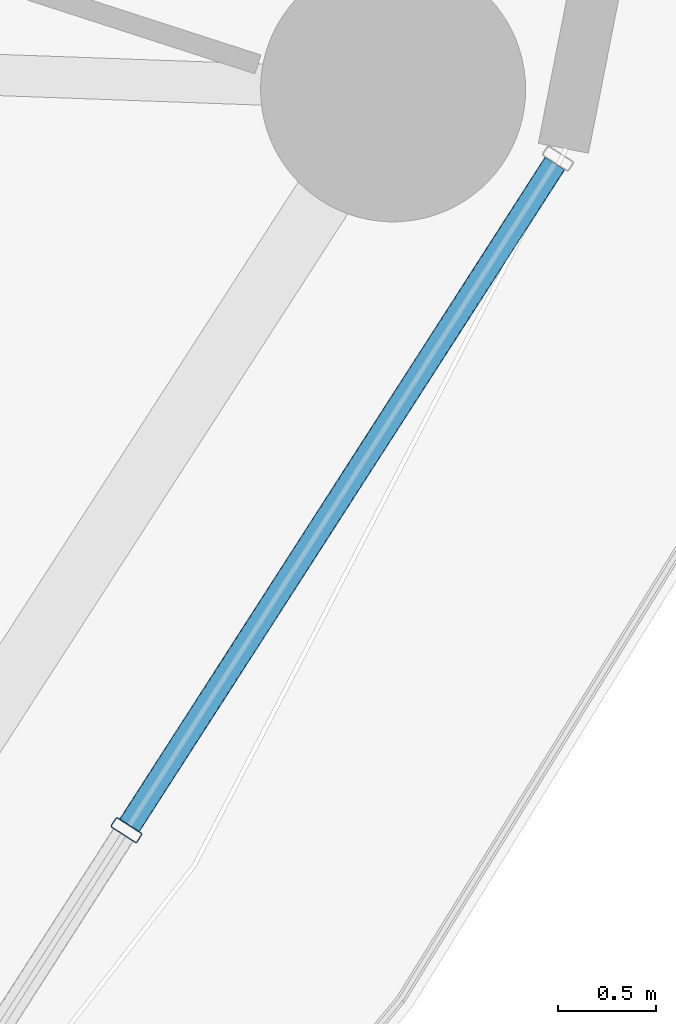
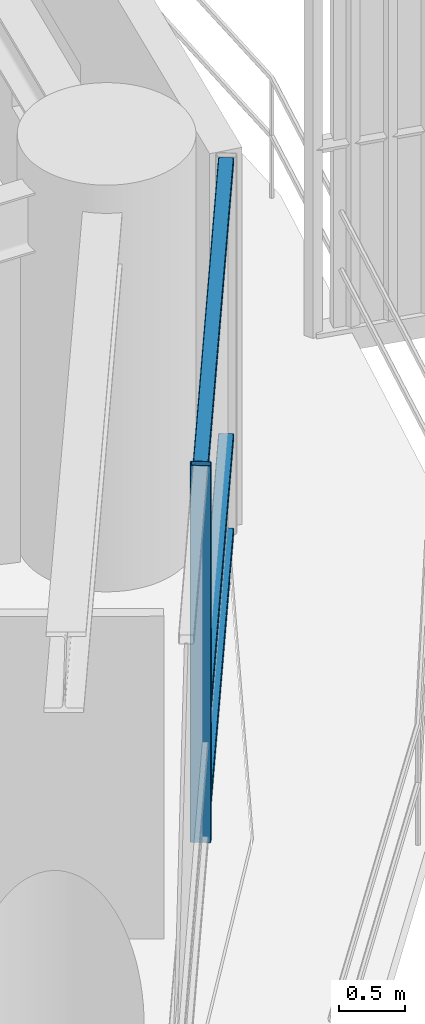
# One storey, part 14 of 37: 4 members, 1 element without a shape of its own.
"""IFC4 building model written with IfcOpenShell, lengths in metres."""

from ifc_helpers import new_model, si_unit, direction, frame, origin, origin_2d, place, context, subcontext, project, spatial, hollow_rectangle, extrude, material, layer, layer_set, material_profile, profile_set, type_object, element, aggregate, save


model = new_model("IFC4")

# Units and contexts
model_context = context("Model", 3, precision=1e-05, world=origin(), true_north=direction((0.0, 1.0)))
body_context = subcontext(model_context, "Body", "Model", "MODEL_VIEW")
ifc_project = project(units=[si_unit("LENGTHUNIT", "METRE"), si_unit("AREAUNIT", "SQUARE_METRE"), si_unit("VOLUMEUNIT", "CUBIC_METRE"), si_unit("PLANEANGLEUNIT", "RADIAN"), si_unit("MASSUNIT", "GRAM", prefix="KILO")], contexts=[model_context])

# Site, building, storey
site_placement = place(None, origin())
site = spatial("IfcSite", under=ifc_project, at=site_placement, CompositionType="ELEMENT")
building_placement = place(site_placement, origin())
building = spatial("IfcBuilding", under=site, at=building_placement, Name="Kelanora Arch Commons", CompositionType="ELEMENT")
storey_placement = place(building_placement, frame((0.0, 0.0, 113.85009765625)))
storey = spatial("IfcBuildingStorey", under=building, at=storey_placement, Name="L29", CompositionType="ELEMENT", Elevation=113.85009765625)

# Curtain wall, members
ifc_material_1 = material(Name="Terracotta ceramic-fritted low-E glass and aluminium", Category="masonry")
ifc_layer = layer(ifc_material_1, 0.159912109375)
ifc_layer_set = layer_set([ifc_layer], Name="Terracotta ceramic-fritted low-E glass and aluminium")
curtain_wall_type = type_object("IfcCurtainWallType", Name="CW-SYS-01", PredefinedType="NOTDEFINED", material=ifc_layer_set)
curtain_wall_placement = place(storey_placement, origin())
curtain_wall = element("IfcCurtainWall", 1, at=curtain_wall_placement, inside=storey, type_object=curtain_wall_type, Name="Unitised Curtain Wall L29-B16", PredefinedType="NOTDEFINED")
ifc_material_2 = material(Name="Powder-coated aluminium terracotta", Category="masonry")
ifc_material_profile_1 = material_profile(ifc_material_2, hollow_rectangle(XDim=0.159912109375, YDim=0.06005859375, WallThickness=0.0048828125, InnerFilletRadius=0.0048828125, OuterFilletRadius=0.010009765625, at=origin_2d()), Name="CWM160x60")
ifc_profile_set_1 = profile_set([ifc_material_profile_1], Name="Powder-coated aluminium terracotta")
member_type_1 = type_object("IfcMemberType", Name="CWM-STD", PredefinedType="MULLION", material=ifc_profile_set_1)
member_1_placement = place(storey_placement, frame((95.83349609375, 46.6748046875, 0.0), z_axis=(0.0, 0.0, 1.0), x_axis=(-0.841268883088, 0.540616931244, 0.0)))
member_1 = element("IfcMember", 2, at=member_1_placement, type_object=member_type_1, Name="CW-01 mullion 2", PredefinedType="MULLION", context=body_context, shape_type="SweptSolid", body=[
    extrude(hollow_rectangle(XDim=0.159912109375, YDim=0.06005859375, WallThickness=0.0048828125, InnerFilletRadius=0.0048828125, OuterFilletRadius=0.010009765625, at=origin_2d()), origin(), (0.0, 0.0, 1.0), 3.474853515625),
])
ifc_material_profile_2 = material_profile(ifc_material_2, hollow_rectangle(XDim=0.1201171875, YDim=0.06005859375, WallThickness=0.0048828125, InnerFilletRadius=0.0048828125, OuterFilletRadius=0.010009765625, at=origin_2d()), Name="CWT120x60")
ifc_profile_set_2 = profile_set([ifc_material_profile_2], Name="Powder-coated aluminium terracotta")
member_type_2 = type_object("IfcMemberType", Name="CWT-STD", PredefinedType="USERDEFINED", material=ifc_profile_set_2)
member_2_placement = place(storey_placement, frame((95.849609375, 46.699951171875, 0.02978515625), z_axis=(0.540643629734, 0.841251725483, 0.0), x_axis=(-0.841251725483, 0.540643629734, 0.0)))
member_2 = element("IfcMember", 3, at=member_2_placement, type_object=member_type_2, Name="CW-01 transom 2.1", ObjectType="TRANSOM", PredefinedType="USERDEFINED", context=body_context, shape_type="SweptSolid", body=[
    extrude(hollow_rectangle(XDim=0.1201171875, YDim=0.06005859375, WallThickness=0.0048828125, InnerFilletRadius=0.0048828125, OuterFilletRadius=0.010009765625, at=origin_2d()), origin(), (0.0, 0.0, 1.0), 4.00634765625),
])
member_3_placement = place(storey_placement, frame((95.849609375, 46.699951171875, 0.89990234375), z_axis=(0.540643629734, 0.841251725483, 0.0), x_axis=(-0.841251725483, 0.540643629734, 0.0)))
member_3 = element("IfcMember", 4, at=member_3_placement, type_object=member_type_2, Name="CW-01 transom 2.2", ObjectType="TRANSOM", PredefinedType="USERDEFINED", context=body_context, shape_type="SweptSolid", body=[
    extrude(hollow_rectangle(XDim=0.1201171875, YDim=0.06005859375, WallThickness=0.0048828125, InnerFilletRadius=0.0048828125, OuterFilletRadius=0.010009765625, at=origin_2d()), origin(), (0.0, 0.0, 1.0), 4.00634765625),
])
member_4_placement = place(storey_placement, frame((95.849609375, 46.699951171875, 3.44482421875), z_axis=(0.540643629734, 0.841251725483, 0.0), x_axis=(-0.841251725483, 0.540643629734, 0.0)))
member_4 = element("IfcMember", 5, at=member_4_placement, type_object=member_type_2, Name="CW-01 transom 2.3", ObjectType="TRANSOM", PredefinedType="USERDEFINED", context=body_context, shape_type="SweptSolid", body=[
    extrude(hollow_rectangle(XDim=0.1201171875, YDim=0.06005859375, WallThickness=0.0048828125, InnerFilletRadius=0.0048828125, OuterFilletRadius=0.010009765625, at=origin_2d()), origin(), (0.0, 0.0, 1.0), 4.00634765625),
])
aggregate(curtain_wall, [member_1, member_2, member_3, member_4])

save(model, "model.ifc")
